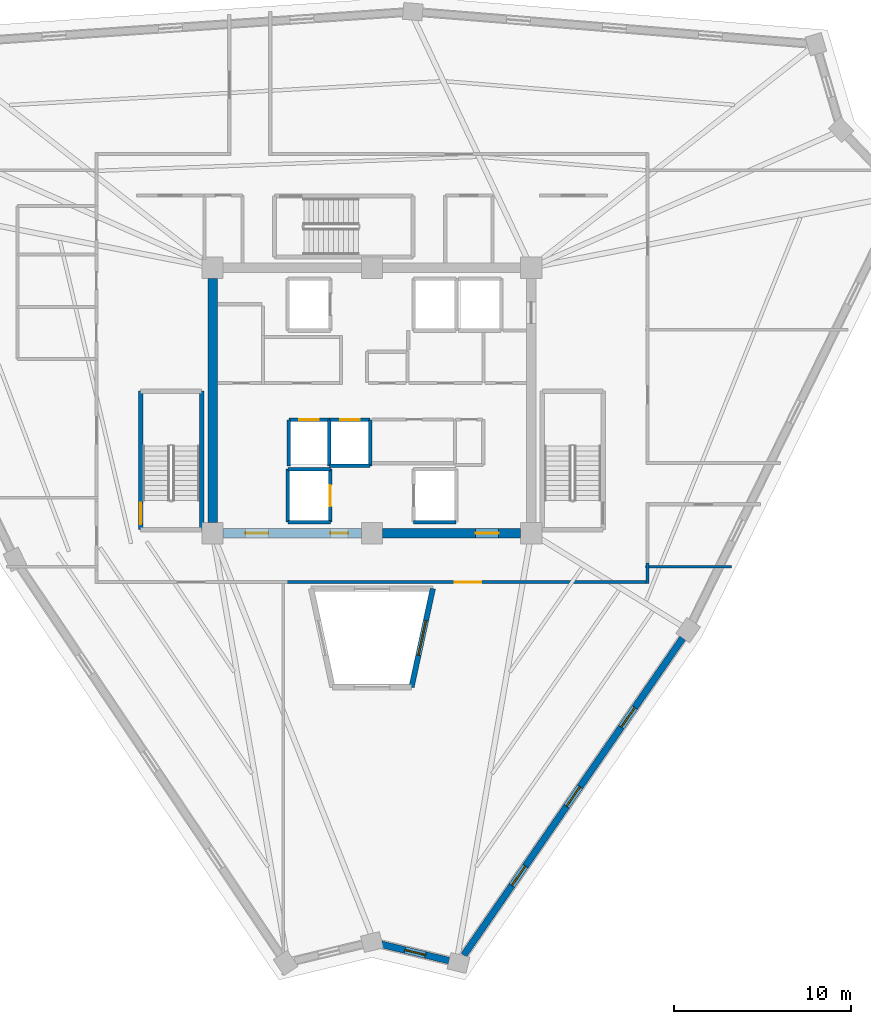
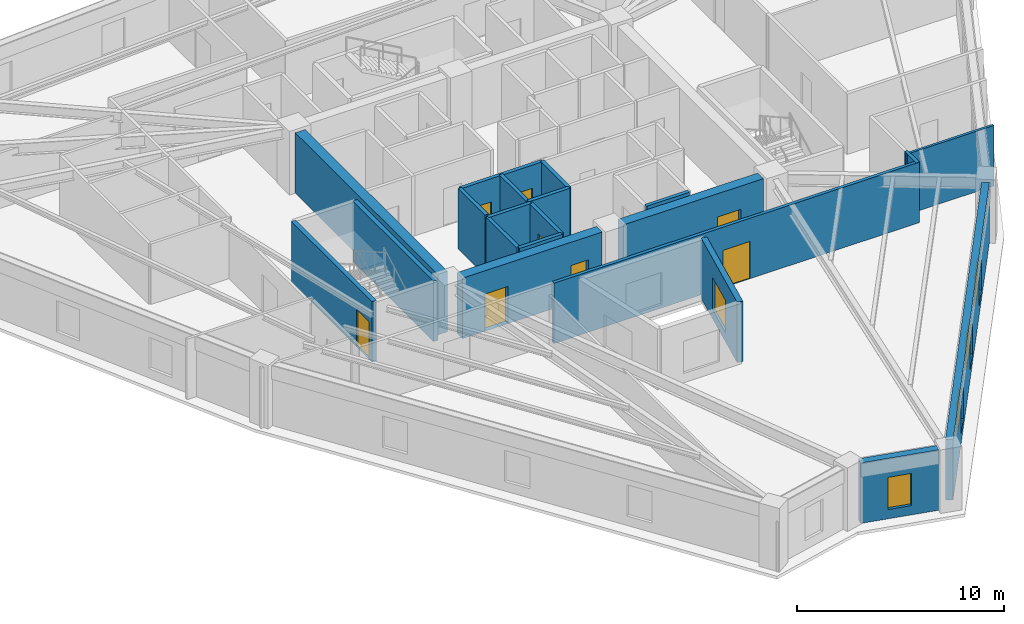
# One storey, part 3 of 8: 22 walls, 8 doors, 5 windows, 13 openings.
"""IFC4 building model written with IfcOpenShell, lengths in metres."""

import ifcopenshell
import ifcopenshell.guid

model = None  # the IFC model being written
_history = None  # IfcOwnerHistory: only IFC2X3 demands one
_inside = {}  # id of a spatial element -> (the spatial element, [elements in it])
_under = {}  # id of a project, library or spatial element -> (it, [spatial elements below it])
_declared = {}  # id of a project -> (the project, [libraries it declares])
_typed = {}  # id of a type object -> (the type object, [elements of that type])
_made_of = {}  # id of a material, layer set ... -> (it, [elements and type objects made of it])


def new_model(schema):
    """Start an empty IFC model of exactly this schema.

    Asked for "IFC4X3", IfcOpenShell would pick the latest addendum, in which some entities
    have other attributes; the version numbers below select the first issue.
    IFC2X3 requires an IfcOwnerHistory on every rooted entity: one is made here for all.
    """
    global model, _history
    if schema == "IFC4X3":
        model = ifcopenshell.file(schema_version=(4, 3, 0, 0))
    else:
        model = ifcopenshell.file(schema=schema)
    _inside.clear()
    _under.clear()
    _declared.clear()
    _typed.clear()
    _made_of.clear()
    _history = None
    if model.schema == "IFC2X3":
        org = make("IfcOrganization", Name="unknown")
        user = make(
            "IfcPersonAndOrganization",
            ThePerson=make("IfcPerson", FamilyName="unknown"),
            TheOrganization=org,
        )
        app = make(
            "IfcApplication",
            ApplicationDeveloper=org,
            Version="unknown",
            ApplicationFullName="unknown",
            ApplicationIdentifier="unknown",
        )
        _history = make(
            "IfcOwnerHistory",
            OwningUser=user,
            OwningApplication=app,
            ChangeAction="ADDED",
            CreationDate=0,
        )
    return model


def make(cls, **values):
    """One entity of the class cls with the attributes given. An attribute that is None is left unset."""
    return model.create_entity(
        cls, **{name: value for name, value in values.items() if value is not None}
    )


def rooted(cls, **values):
    """An entity with a GlobalId (a new one), such as an element, a storey or a relation."""
    return make(cls, GlobalId=ifcopenshell.guid.new(), OwnerHistory=_history, **values)


def si_unit(unit_type, name, prefix=None):
    """IfcSIUnit, for example si_unit("LENGTHUNIT", "METRE", prefix="MILLI")."""
    return make("IfcSIUnit", UnitType=unit_type, Prefix=prefix, Name=name)


def assignment(units):
    """IfcUnitAssignment: the units of a project."""
    return None if units is None else make("IfcUnitAssignment", Units=units)


def point(xyz):
    """IfcCartesianPoint."""
    return None if xyz is None else make("IfcCartesianPoint", Coordinates=xyz)


def direction(xyz):
    """IfcDirection."""
    return None if xyz is None else make("IfcDirection", DirectionRatios=xyz)


def frame(location, z_axis=None, x_axis=None):
    """IfcAxis2Placement3D, a coordinate frame: its origin and axes. An axis left out is left unset."""
    return make(
        "IfcAxis2Placement3D",
        Location=point(location),
        Axis=direction(z_axis),
        RefDirection=direction(x_axis),
    )


def frame_2d(location, x_axis=None):
    """IfcAxis2Placement2D, a coordinate frame in the plane: its origin and x axis."""
    return make(
        "IfcAxis2Placement2D", Location=point(location), RefDirection=direction(x_axis)
    )


def origin():
    """The frame at (0, 0, 0) with its axes left unset."""
    return frame((0.0, 0.0, 0.0))


def place(relative_to, where):
    """IfcLocalPlacement: puts the frame where relative to a parent placement (None: the world)."""
    return make(
        "IfcLocalPlacement", PlacementRelTo=relative_to, RelativePlacement=where
    )


def context(
    kind, dimensions, precision=None, world=None, true_north=None, identifier=None
):
    """IfcGeometricRepresentationContext, for example the 3D "Model" context."""
    return make(
        "IfcGeometricRepresentationContext",
        ContextIdentifier=identifier,
        ContextType=kind,
        CoordinateSpaceDimension=dimensions,
        Precision=precision,
        WorldCoordinateSystem=world,
        TrueNorth=true_north,
    )


def subcontext(parent, identifier, kind, view, scale=None):
    """IfcGeometricRepresentationSubContext, for example "Body" below "Model"."""
    return make(
        "IfcGeometricRepresentationSubContext",
        ContextIdentifier=identifier,
        ContextType=kind,
        ParentContext=parent,
        TargetScale=scale,
        TargetView=view,
    )


def project(units=None, contexts=None):
    """IfcProject with its units and contexts."""
    return rooted(
        "IfcProject",
        Name="project",
        RepresentationContexts=contexts,
        UnitsInContext=assignment(units),
    )


def spatial(cls, under=None, at=None, **own):
    """A site, building, storey or space (cls), placed at a placement, below another one or the project."""
    s = rooted(cls, ObjectPlacement=at, **own)
    if under is not None:
        _under.setdefault(under.id(), (under, []))[1].append(s)
    return s


def profile(cls, at=None, kind="AREA", **sizes):
    """A parametric profile (cls). Its sizes go by their IFC names, for example OverallWidth=200.0."""
    return make(cls, ProfileType=kind, Position=at, **sizes)


def rectangle(**sizes):
    """IfcRectangleProfileDef."""
    return profile("IfcRectangleProfileDef", **sizes)


def extrude(swept, where, along, depth):
    """IfcExtrudedAreaSolid: the profile swept, set in the frame where, extruded along a direction by depth."""
    return make(
        "IfcExtrudedAreaSolid",
        SweptArea=swept,
        Position=where,
        ExtrudedDirection=direction(along),
        Depth=depth,
    )


def shape(context_of_items, identifier, shape_type, items):
    """IfcShapeRepresentation: the items that make up one representation, for example the "Body"."""
    return make(
        "IfcShapeRepresentation",
        ContextOfItems=context_of_items,
        RepresentationIdentifier=identifier,
        RepresentationType=shape_type,
        Items=items,
    )


def source(mapping_origin, context_of_items, identifier, shape_type, items):
    """IfcRepresentationMap: a shape defined once, which mapped items show again and again."""
    return make(
        "IfcRepresentationMap",
        MappingOrigin=mapping_origin,
        MappedRepresentation=shape(context_of_items, identifier, shape_type, items),
    )


def transform(
    local_origin,
    x_axis=None,
    y_axis=None,
    z_axis=None,
    scale=None,
    scale2=None,
    scale3=None,
    uniform=True,
):
    """IfcCartesianTransformationOperator3D, or its non-uniform kind. x_axis, y_axis, z_axis: its Axis1, 2, 3."""
    if uniform:
        return make(
            "IfcCartesianTransformationOperator3D",
            Axis1=direction(x_axis),
            Axis2=direction(y_axis),
            LocalOrigin=point(local_origin),
            Scale=scale,
            Axis3=direction(z_axis),
        )
    return make(
        "IfcCartesianTransformationOperator3DnonUniform",
        Axis1=direction(x_axis),
        Axis2=direction(y_axis),
        LocalOrigin=point(local_origin),
        Scale=scale,
        Axis3=direction(z_axis),
        Scale2=scale2,
        Scale3=scale3,
    )


def mapped(mapping_source, mapping_target):
    """IfcMappedItem: shows the shape of a source again, moved by a transform."""
    return make(
        "IfcMappedItem", MappingSource=mapping_source, MappingTarget=mapping_target
    )


def material(Name=None, Category=None):
    """IfcMaterial."""
    return make("IfcMaterial", Name=Name, Category=Category)


def layer(
    of_material, thickness, ventilated=None, Name=None, Category=None, Priority=None
):
    """IfcMaterialLayer: one layer of a wall or slab, of a material (None: an air gap)."""
    return make(
        "IfcMaterialLayer",
        Material=of_material,
        LayerThickness=thickness,
        IsVentilated=ventilated,
        Name=Name,
        Category=Category,
        Priority=Priority,
    )


def layer_set(layers, Name=None):
    """IfcMaterialLayerSet."""
    return make("IfcMaterialLayerSet", MaterialLayers=layers, LayerSetName=Name)


def made_of(thing, what):
    """Note that an element or type object is made of a material, layer set ...; save() writes the relation."""
    if what is not None:
        _made_of.setdefault(what.id(), (what, []))[1].append(thing)
    return thing


def type_object(cls, material=None, **own):
    """A type object (cls), such as IfcWallType, which elements share."""
    return made_of(rooted(cls, **own), material)


def element(
    cls,
    number,
    at=None,
    inside=None,
    cuts=None,
    type_object=None,
    material=None,
    context=None,
    identifier="Body",
    shape_type=None,
    held_by="IfcProductDefinitionShape",
    body=None,
    shapes=None,
    **own,
):
    """One element of the class cls, such as IfcWall. Its Tag is "e" and its number.

    at: its placement. inside: the storey or other place that contains it. cuts: it is an
    opening in that element (IfcRelVoidsElement). A single representation is given by context,
    identifier, shape_type and body (its items); several are given by shapes. held_by: the class
    of the entity that holds the representations. save() writes the other relations.
    """
    e = rooted(cls, Tag="e%d" % number, ObjectPlacement=at, **own)
    if body is not None:
        shapes = [shape(context, identifier, shape_type, body)]
    if shapes is not None:
        e.Representation = make(held_by, Representations=shapes)
    if inside is not None:
        _inside.setdefault(inside.id(), (inside, []))[1].append(e)
    if cuts is not None:
        rooted(
            "IfcRelVoidsElement", RelatingBuildingElement=cuts, RelatedOpeningElement=e
        )
    if type_object is not None:
        _typed.setdefault(type_object.id(), (type_object, []))[1].append(e)
    return made_of(e, material)


def fill(opening, filler):
    """IfcRelFillsElement: the door or window that sits in an opening."""
    return rooted(
        "IfcRelFillsElement",
        RelatingOpeningElement=opening,
        RelatedBuildingElement=filler,
    )


def aggregate(whole, parts):
    """IfcRelAggregates: a whole, such as a stair, and the parts it consists of."""
    return rooted("IfcRelAggregates", RelatingObject=whole, RelatedObjects=parts)


def save(model, path):
    """Write the relations noted so far, then the file.

    IfcRelAggregates (storeys below a building ...), IfcRelContainedInSpatialStructure (elements
    in a storey), IfcRelDefinesByType, IfcRelAssociatesMaterial and IfcRelDeclares: one each for
    every whole, place, type object, material and project.
    """
    for whole, parts in _under.values():
        aggregate(whole, parts)
    for where, things in _inside.values():
        rooted(
            "IfcRelContainedInSpatialStructure",
            RelatedElements=things,
            RelatingStructure=where,
        )
    for kind, things in _typed.values():
        rooted("IfcRelDefinesByType", RelatedObjects=things, RelatingType=kind)
    for what, things in _made_of.values():
        rooted("IfcRelAssociatesMaterial", RelatedObjects=things, RelatingMaterial=what)
    for by, libraries in _declared.values():
        rooted("IfcRelDeclares", RelatingContext=by, RelatedDefinitions=libraries)
    model.write(path)


model = new_model("IFC4")

# Units and contexts
model_context = context("Model", 3, precision=1e-05, world=origin(), true_north=direction((0.0, 1.0)))
body_context = subcontext(model_context, "Body", "Model", "MODEL_VIEW")
ifc_project = project(units=[si_unit("LENGTHUNIT", "METRE"), si_unit("AREAUNIT", "SQUARE_METRE"), si_unit("VOLUMEUNIT", "CUBIC_METRE"), si_unit("PLANEANGLEUNIT", "RADIAN"), si_unit("MASSUNIT", "GRAM", prefix="KILO")], contexts=[model_context])

# Site, building, storey
site_placement = place(None, origin())
site = spatial("IfcSite", under=ifc_project, at=site_placement, CompositionType="ELEMENT")
building_placement = place(site_placement, origin())
building = spatial("IfcBuilding", under=site, at=building_placement, Name="Liaohun Quay Tower", CompositionType="ELEMENT")
storey_placement = place(building_placement, frame((0.0, 0.0, 316.5)))
storey = spatial("IfcBuildingStorey", under=building, at=storey_placement, Name="L82", CompositionType="ELEMENT", Elevation=316.5)

# Wall, opening, window
ifc_material_1 = material(Name="Concrete C50", Category="concrete")
ifc_layer_1 = layer(ifc_material_1, 0.300048828125, Name="Concrete C50", Category="concrete")
ifc_layer_set_1 = layer_set([ifc_layer_1], Name="Concrete C50")
wall_type_1 = type_object("IfcWallType", Name="WAL-ATR-300", PredefinedType="SOLIDWALL", material=ifc_layer_set_1)
wall_1_placement = place(storey_placement, frame((63.44091796875, 43.3701171875, 0.0), z_axis=(0.0, 0.0, 1.0), x_axis=(-0.21145116659, -0.977388563545, 0.0)))
wall_1 = element("IfcWall", 1, at=wall_1_placement, inside=storey, type_object=wall_type_1, Name="L82 Atrium Fire Compartment Wall 3", PredefinedType="SOLIDWALL", context=body_context, shape_type="SweptSolid", body=[
    extrude(rectangle(XDim=5.697998046875, YDim=0.300048828125, at=frame_2d((2.84912109375, 0.0))), origin(), (0.0, 0.0, 1.0), 3.570068359375),
])
shared_shape_1 = source(origin(), body_context, "Body", "SweptSolid", [
    extrude(rectangle(XDim=2.0, YDim=1.89990234375, at=frame_2d((1.0, 0.949951171875))), frame((0.0, 0.159912109375, 0.0), z_axis=(0.0, -1.0, 0.0), x_axis=(1.0, 0.0, 0.0)), (0.0, 0.0, 1.0), 0.320068359375),
])
opening_1_placement = place(wall_1_placement, frame((1.84912109375, 0.0, 0.550048828125)))
opening_1 = element("IfcOpeningElement", 2, at=opening_1_placement, cuts=wall_1, Name="Opening W07", PredefinedType="OPENING", context=body_context, shape_type="MappedRepresentation", body=[
    mapped(shared_shape_1, transform((0.0, 0.0, 0.0), x_axis=(1.0, 0.0, 0.0), y_axis=(0.0, 1.0, 0.0), z_axis=(0.0, 0.0, 1.0), scale=1.0)),
])
ifc_material_2 = material(Name="Class A 180-min fire-resistant insulated glazing", Category="glass")
window_type_1 = type_object("IfcWindowType", Name="WIN-ATR-FIR", PartitioningType="DOUBLE_PANEL_VERTICAL", PredefinedType="WINDOW", material=ifc_material_2)
shared_shape_2 = source(origin(), body_context, "Body", "SweptSolid", [
    extrude(rectangle(XDim=2.0, YDim=1.89990234375, at=frame_2d((1.0, 0.949951171875))), frame((0.0, 0.030029296875, 0.0), z_axis=(0.0, -1.0, 0.0), x_axis=(1.0, 0.0, 0.0)), (0.0, 0.0, 1.0), 0.06005859375),
])
window_1_placement = place(opening_1_placement, origin())
window_1 = element("IfcWindow", 3, at=window_1_placement, inside=storey, type_object=window_type_1, Name="L82 Atrium Fire-Resistant Glazing W07-3", OverallHeight=1.89990234375, OverallWidth=2.0, PartitioningType="DOUBLE_PANEL_VERTICAL", PredefinedType="WINDOW", context=body_context, shape_type="MappedRepresentation", body=[
    mapped(shared_shape_2, transform((0.0, 0.0, 0.0), x_axis=(1.0, 0.0, 0.0), y_axis=(0.0, 1.0, 0.0), z_axis=(0.0, 0.0, 1.0), scale=1.0)),
])
fill(opening_1, window_1)

# Wall, opening, door
ifc_layer_2 = layer(ifc_material_1, 0.550048828125, Name="Concrete C50", Category="concrete")
ifc_layer_set_2 = layer_set([ifc_layer_2], Name="Concrete C50")
wall_type_2 = type_object("IfcWallType", Name="WAL-COR-Z4", PredefinedType="SHEAR", material=ifc_layer_set_2)
wall_2_placement = place(storey_placement, frame((68.39990234375, 46.5, 0.0), z_axis=(0.0, 0.0, 1.0), x_axis=(-1.0, 0.0, 0.0)))
wall_2 = element("IfcWall", 4, at=wall_2_placement, inside=storey, type_object=wall_type_2, Name="L82 Central Core Shear Wall S-E", PredefinedType="SHEAR", context=body_context, shape_type="SweptSolid", body=[
    extrude(rectangle(XDim=7.7998046875, YDim=0.550048828125, at=frame_2d((3.89990234375, 0.0))), origin(), (0.0, 0.0, 1.0), 3.570068359375),
])
shared_shape_3 = source(origin(), body_context, "Body", "SweptSolid", [
    extrude(rectangle(XDim=1.300048828125, YDim=2.199951171875, at=frame_2d((0.64990234375, 1.10009765625))), frame((0.0, 0.284912109375, 0.0), z_axis=(0.0, -1.0, 0.0), x_axis=(1.0, 0.0, 0.0)), (0.0, 0.0, 1.0), 0.570068359375),
])
opening_2_placement = place(wall_2_placement, frame((1.25, 0.0, 0.0)))
opening_2 = element("IfcOpeningElement", 5, at=opening_2_placement, cuts=wall_2, Name="Opening FD1", PredefinedType="OPENING", context=body_context, shape_type="MappedRepresentation", body=[
    mapped(shared_shape_3, transform((0.0, 0.0, 0.0), x_axis=(1.0, 0.0, 0.0), y_axis=(0.0, 1.0, 0.0), z_axis=(0.0, 0.0, 1.0), scale=1.0)),
])
ifc_material_3 = material(Name="Galvanised steel smokeproof fire door", Category="steel")
door_type_1 = type_object("IfcDoorType", Name="DOR-FFL-1300", OperationType="NOTDEFINED", PredefinedType="DOOR", material=ifc_material_3)
shared_shape_4 = source(origin(), body_context, "Body", "SweptSolid", [
    extrude(rectangle(XDim=1.300048828125, YDim=2.199951171875, at=frame_2d((0.64990234375, 1.10009765625))), frame((0.0, 0.02490234375, 0.0), z_axis=(0.0, -1.0, 0.0), x_axis=(1.0, 0.0, 0.0)), (0.0, 0.0, 1.0), 0.050048828125),
])
door_1_placement = place(opening_2_placement, origin())
door_1 = element("IfcDoor", 6, at=door_1_placement, inside=storey, type_object=door_type_1, Name="L82 East Core Lift Lobby Smokeproof Door", OperationType="SINGLE_SWING_LEFT", OverallHeight=2.199951171875, OverallWidth=1.300048828125, PredefinedType="DOOR", context=body_context, shape_type="MappedRepresentation", body=[
    mapped(shared_shape_4, transform((0.0, 0.0, 0.0), x_axis=(1.0, 0.0, 0.0), y_axis=(0.0, 1.0, 0.0), z_axis=(0.0, 0.0, 1.0), scale=1.0)),
])
fill(opening_2, door_1)

# Wall, openings, doors
wall_3_placement = place(storey_placement, frame((59.39990234375, 46.5, 0.0), z_axis=(0.0, 0.0, 1.0), x_axis=(-1.0, 0.0, 0.0)))
wall_3 = element("IfcWall", 7, at=wall_3_placement, inside=storey, type_object=wall_type_2, Name="L82 Central Core Shear Wall S-W", PredefinedType="SHEAR", context=body_context, shape_type="SweptSolid", body=[
    extrude(rectangle(XDim=7.7998046875, YDim=0.550048828125, at=frame_2d((3.89990234375, 0.0))), origin(), (0.0, 0.0, 1.0), 3.570068359375),
])
opening_3_placement = place(wall_3_placement, frame((5.25, 0.0, 0.0)))
opening_3 = element("IfcOpeningElement", 8, at=opening_3_placement, cuts=wall_3, Name="Opening FD1", PredefinedType="OPENING", context=body_context, shape_type="MappedRepresentation", body=[
    mapped(shared_shape_3, transform((0.0, 0.0, 0.0), x_axis=(1.0, 0.0, 0.0), y_axis=(0.0, 1.0, 0.0), z_axis=(0.0, 0.0, 1.0), scale=1.0)),
])
shared_shape_5 = source(origin(), body_context, "Body", "SweptSolid", [
    extrude(rectangle(XDim=1.0, YDim=2.199951171875, at=frame_2d((0.5, 1.10009765625))), frame((0.0, 0.284912109375, 0.0), z_axis=(0.0, -1.0, 0.0), x_axis=(1.0, 0.0, 0.0)), (0.0, 0.0, 1.0), 0.570068359375),
])
opening_4_placement = place(wall_3_placement, frame((0.75, 0.0, 0.0)))
opening_4 = element("IfcOpeningElement", 9, at=opening_4_placement, cuts=wall_3, Name="Opening FD2", PredefinedType="OPENING", context=body_context, shape_type="MappedRepresentation", body=[
    mapped(shared_shape_5, transform((0.0, 0.0, 0.0), x_axis=(1.0, 0.0, 0.0), y_axis=(0.0, 1.0, 0.0), z_axis=(0.0, 0.0, 1.0), scale=1.0)),
])
door_2_placement = place(opening_3_placement, origin())
door_2 = element("IfcDoor", 10, at=door_2_placement, inside=storey, type_object=door_type_1, Name="L82 West Core Lift Lobby Smokeproof Door", OperationType="SINGLE_SWING_RIGHT", OverallHeight=2.199951171875, OverallWidth=1.300048828125, PredefinedType="DOOR", context=body_context, shape_type="MappedRepresentation", body=[
    mapped(shared_shape_4, transform((0.0, 0.0, 0.0), x_axis=(1.0, 0.0, 0.0), y_axis=(0.0, 1.0, 0.0), z_axis=(0.0, 0.0, 1.0), scale=1.0)),
])
fill(opening_3, door_2)
ifc_material_4 = material(Name="Galvanised steel smokeproof lobby fire door", Category="steel")
door_type_2 = type_object("IfcDoorType", Name="DOR-FFL-1000", OperationType="NOTDEFINED", PredefinedType="DOOR", material=ifc_material_4)
shared_shape_6 = source(origin(), body_context, "Body", "SweptSolid", [
    extrude(rectangle(XDim=1.0, YDim=2.199951171875, at=frame_2d((0.5, 1.10009765625))), frame((0.0, 0.02490234375, 0.0), z_axis=(0.0, -1.0, 0.0), x_axis=(1.0, 0.0, 0.0)), (0.0, 0.0, 1.0), 0.050048828125),
])
door_3_placement = place(opening_4_placement, origin())
door_3 = element("IfcDoor", 11, at=door_3_placement, inside=storey, type_object=door_type_2, Name="L82 South Firefighting Lobby Smokeproof Door", OperationType="SINGLE_SWING_LEFT", OverallHeight=2.199951171875, OverallWidth=1.0, PredefinedType="DOOR", context=body_context, shape_type="MappedRepresentation", body=[
    mapped(shared_shape_6, transform((0.0, 0.0, 0.0), x_axis=(1.0, 0.0, 0.0), y_axis=(0.0, 1.0, 0.0), z_axis=(0.0, 0.0, 1.0), scale=1.0)),
])
fill(opening_4, door_3)

# Wall
wall_4_placement = place(storey_placement, frame((51.0, 47.10009765625, 0.0), z_axis=(0.0, 0.0, 1.0), x_axis=(0.0, 1.0, 0.0)))
element("IfcWall", 12, at=wall_4_placement, inside=storey, type_object=wall_type_2, Name="L82 Central Core Shear Wall W", PredefinedType="SHEAR", context=body_context, shape_type="SweptSolid", body=[
    extrude(rectangle(XDim=13.7998046875, YDim=0.550048828125, at=frame_2d((6.89990234375, 0.0))), origin(), (0.0, 0.0, 1.0), 3.570068359375),
])

# Wall, opening, window
ifc_material_5 = material(Name="Precast concrete C50 insulated sandwich", Category="concrete")
ifc_layer_3 = layer(ifc_material_5, 0.3798828125, Name="Precast concrete C50 insulated sandwich", Category="concrete")
ifc_layer_set_3 = layer_set([ifc_layer_3], Name="Precast concrete C50 insulated sandwich")
wall_type_3 = type_object("IfcWallType", Name="WAL-EXT-Z34", PredefinedType="SOLIDWALL", material=ifc_layer_set_3)
wall_5_placement = place(storey_placement, frame((60.52490234375, 23.281005859375, 0.0), z_axis=(0.0, 0.0, 1.0), x_axis=(0.972065658594, -0.234709086705, 0.0)))
wall_5 = element("IfcWall", 13, at=wall_5_placement, inside=storey, type_object=wall_type_3, Name="L82 Brutalist Precast Pier Wall 01", PredefinedType="SOLIDWALL", context=body_context, shape_type="SweptSolid", body=[
    extrude(rectangle(XDim=3.9453125, YDim=0.3798828125, at=frame_2d((1.97265625, 0.0))), origin(), (0.0, 0.0, 1.0), 3.570068359375),
])
shared_shape_7 = source(origin(), body_context, "Body", "SweptSolid", [
    extrude(rectangle(XDim=1.199951171875, YDim=1.89990234375, at=frame_2d((0.60009765625, 0.949951171875))), frame((0.0, 0.199951171875, 0.0), z_axis=(0.0, -1.0, 0.0), x_axis=(1.0, 0.0, 0.0)), (0.0, 0.0, 1.0), 0.39990234375),
])
opening_5_placement = place(wall_5_placement, frame((1.373046875, 0.0, 0.550048828125)))
opening_5 = element("IfcOpeningElement", 14, at=opening_5_placement, cuts=wall_5, Name="Opening W05", PredefinedType="OPENING", context=body_context, shape_type="MappedRepresentation", body=[
    mapped(shared_shape_7, transform((0.0, 0.0, 0.0), x_axis=(1.0, 0.0, 0.0), y_axis=(0.0, 1.0, 0.0), z_axis=(0.0, 0.0, 1.0), scale=1.0)),
])
ifc_material_6 = material(Name="Triple Low-E corner notch glazing", Category="glass")
window_type_2 = type_object("IfcWindowType", Name="WIN-NOTCH", PartitioningType="SINGLE_PANEL", PredefinedType="WINDOW", material=ifc_material_6)
shared_shape_8 = source(origin(), body_context, "Body", "SweptSolid", [
    extrude(rectangle(XDim=1.199951171875, YDim=1.89990234375, at=frame_2d((0.60009765625, 0.949951171875))), frame((0.0, 0.030029296875, 0.0), z_axis=(0.0, -1.0, 0.0), x_axis=(1.0, 0.0, 0.0)), (0.0, 0.0, 1.0), 0.06005859375),
])
window_2_placement = place(opening_5_placement, origin())
window_2 = element("IfcWindow", 15, at=window_2_placement, inside=storey, type_object=window_type_2, Name="L82 Corner Notch Window W05-01", OverallHeight=1.89990234375, OverallWidth=1.199951171875, PartitioningType="SINGLE_PANEL", PredefinedType="WINDOW", context=body_context, shape_type="MappedRepresentation", body=[
    mapped(shared_shape_8, transform((0.0, 0.0, 0.0), x_axis=(1.0, 0.0, 0.0), y_axis=(0.0, 1.0, 0.0), z_axis=(0.0, 0.0, 1.0), scale=1.0)),
])
fill(opening_5, window_2)

# Wall, openings, windows
wall_6_placement = place(storey_placement, frame((65.19189453125, 22.672119140625, 0.0), z_axis=(0.0, 0.0, 1.0), x_axis=(0.568115456304, 0.822948861296, 0.0)))
wall_6 = element("IfcWall", 16, at=wall_6_placement, inside=storey, type_object=wall_type_3, Name="L82 Brutalist Precast Pier Wall 02", PredefinedType="SOLIDWALL", context=body_context, shape_type="SweptSolid", body=[
    extrude(rectangle(XDim=21.758056640625, YDim=0.3798828125, at=frame_2d((10.87890625, 0.0))), origin(), (0.0, 0.0, 1.0), 3.570068359375),
])
shared_shape_9 = source(origin(), body_context, "Body", "SweptSolid", [
    extrude(rectangle(XDim=1.35009765625, YDim=1.85009765625, at=frame_2d((0.675048828125, 0.925048828125))), frame((0.0, 0.199951171875, 0.0), z_axis=(0.0, -1.0, 0.0), x_axis=(1.0, 0.0, 0.0)), (0.0, 0.0, 1.0), 0.39990234375),
])
opening_6_placement = place(wall_6_placement, frame((4.764892578125, 0.0, 0.550048828125)))
opening_6 = element("IfcOpeningElement", 17, at=opening_6_placement, cuts=wall_6, Name="Opening W04", PredefinedType="OPENING", context=body_context, shape_type="MappedRepresentation", body=[
    mapped(shared_shape_9, transform((0.0, 0.0, 0.0), x_axis=(1.0, 0.0, 0.0), y_axis=(0.0, 1.0, 0.0), z_axis=(0.0, 0.0, 1.0), scale=1.0)),
])
opening_7_placement = place(wall_6_placement, frame((10.2041015625, 0.0, 0.550048828125)))
opening_7 = element("IfcOpeningElement", 18, at=opening_7_placement, cuts=wall_6, Name="Opening W04", PredefinedType="OPENING", context=body_context, shape_type="MappedRepresentation", body=[
    mapped(shared_shape_9, transform((0.0, 0.0, 0.0), x_axis=(1.0, 0.0, 0.0), y_axis=(0.0, 1.0, 0.0), z_axis=(0.0, 0.0, 1.0), scale=1.0)),
])
opening_8_placement = place(wall_6_placement, frame((15.64404296875, 0.0, 0.550048828125)))
opening_8 = element("IfcOpeningElement", 19, at=opening_8_placement, cuts=wall_6, Name="Opening W04", PredefinedType="OPENING", context=body_context, shape_type="MappedRepresentation", body=[
    mapped(shared_shape_9, transform((0.0, 0.0, 0.0), x_axis=(1.0, 0.0, 0.0), y_axis=(0.0, 1.0, 0.0), z_axis=(0.0, 0.0, 1.0), scale=1.0)),
])
ifc_material_7 = material(Name="Triple Low-E argon glazing in thermally broken aluminium", Category="aluminium")
window_type_3 = type_object("IfcWindowType", Name="WIN-PUN-Z4", PartitioningType="SINGLE_PANEL", PredefinedType="WINDOW", material=ifc_material_7)
shared_shape_10 = source(origin(), body_context, "Body", "SweptSolid", [
    extrude(rectangle(XDim=1.35009765625, YDim=1.85009765625, at=frame_2d((0.675048828125, 0.925048828125))), frame((0.0, 0.030029296875, 0.0), z_axis=(0.0, -1.0, 0.0), x_axis=(1.0, 0.0, 0.0)), (0.0, 0.0, 1.0), 0.06005859375),
])
window_3_placement = place(opening_6_placement, origin())
window_3 = element("IfcWindow", 20, at=window_3_placement, inside=storey, type_object=window_type_3, Name="L82 Recessed Cold-Climate Punched Window 02-1", OverallHeight=1.85009765625, OverallWidth=1.35009765625, PartitioningType="SINGLE_PANEL", PredefinedType="WINDOW", context=body_context, shape_type="MappedRepresentation", body=[
    mapped(shared_shape_10, transform((0.0, 0.0, 0.0), x_axis=(1.0, 0.0, 0.0), y_axis=(0.0, 1.0, 0.0), z_axis=(0.0, 0.0, 1.0), scale=1.0)),
])
fill(opening_6, window_3)
window_4_placement = place(opening_7_placement, origin())
window_4 = element("IfcWindow", 21, at=window_4_placement, inside=storey, type_object=window_type_3, Name="L82 Recessed Cold-Climate Punched Window 02-2", OverallHeight=1.85009765625, OverallWidth=1.35009765625, PartitioningType="SINGLE_PANEL", PredefinedType="WINDOW", context=body_context, shape_type="MappedRepresentation", body=[
    mapped(shared_shape_10, transform((0.0, 0.0, 0.0), x_axis=(1.0, 0.0, 0.0), y_axis=(0.0, 1.0, 0.0), z_axis=(0.0, 0.0, 1.0), scale=1.0)),
])
fill(opening_7, window_4)
window_5_placement = place(opening_8_placement, origin())
window_5 = element("IfcWindow", 22, at=window_5_placement, inside=storey, type_object=window_type_3, Name="L82 Recessed Cold-Climate Punched Window 02-3", OverallHeight=1.85009765625, OverallWidth=1.35009765625, PartitioningType="SINGLE_PANEL", PredefinedType="WINDOW", context=body_context, shape_type="MappedRepresentation", body=[
    mapped(shared_shape_10, transform((0.0, 0.0, 0.0), x_axis=(1.0, 0.0, 0.0), y_axis=(0.0, 1.0, 0.0), z_axis=(0.0, 0.0, 1.0), scale=1.0)),
])
fill(opening_8, window_5)

# Wall, opening, door
ifc_material_8 = material(Name="Autoclaved aerated concrete blockwork", Category="masonry")
ifc_layer_4 = layer(ifc_material_8, 0.179931640625, Name="Autoclaved aerated concrete blockwork", Category="masonry")
ifc_layer_set_4 = layer_set([ifc_layer_4], Name="Autoclaved aerated concrete blockwork")
wall_type_4 = type_object("IfcWallType", Name="WAL-PRT-COR", PredefinedType="PARTITIONING", material=ifc_layer_set_4)
wall_7_placement = place(storey_placement, frame((75.6298828125, 43.739990234375, 0.0), z_axis=(0.0, 0.0, 1.0), x_axis=(-1.0, 0.0, 0.0)))
wall_7 = element("IfcWall", 23, at=wall_7_placement, inside=storey, type_object=wall_type_4, Name="L82 Interior Partition Wall 022", PredefinedType="PARTITIONING", context=body_context, shape_type="SweptSolid", body=[
    extrude(rectangle(XDim=20.414794921875, YDim=0.179931640625, at=frame_2d((10.20751953125, 0.0))), origin(), (0.0, 0.0, 1.0), 3.570068359375),
])
shared_shape_11 = source(origin(), body_context, "Body", "SweptSolid", [
    extrude(rectangle(XDim=1.5, YDim=2.199951171875, at=frame_2d((0.75, 1.10009765625))), frame((0.0, 0.099853515625, 0.0), z_axis=(0.0, -1.0, 0.0), x_axis=(1.0, 0.0, 0.0)), (0.0, 0.0, 1.0), 0.199951171875),
])
opening_9_placement = place(wall_7_placement, frame((9.45703125, 0.0, 0.0)))
opening_9 = element("IfcOpeningElement", 24, at=opening_9_placement, cuts=wall_7, Name="Opening OD2", PredefinedType="OPENING", context=body_context, shape_type="MappedRepresentation", body=[
    mapped(shared_shape_11, transform((0.0, 0.0, 0.0), x_axis=(1.0, 0.0, 0.0), y_axis=(0.0, 1.0, 0.0), z_axis=(0.0, 0.0, 1.0), scale=1.0)),
])
ifc_material_9 = material(Name="Acoustic oak veneer double door")
door_type_3 = type_object("IfcDoorType", Name="DOR-OFF-1500", OperationType="DOUBLE_DOOR_SINGLE_SWING", PredefinedType="DOOR", material=ifc_material_9)
shared_shape_12 = source(origin(), body_context, "Body", "SweptSolid", [
    extrude(rectangle(XDim=1.5, YDim=2.199951171875, at=frame_2d((0.75, 1.10009765625))), frame((0.0, 0.02490234375, 0.0), z_axis=(0.0, -1.0, 0.0), x_axis=(1.0, 0.0, 0.0)), (0.0, 0.0, 1.0), 0.050048828125),
])
door_4_placement = place(opening_9_placement, origin())
door_4 = element("IfcDoor", 25, at=door_4_placement, inside=storey, type_object=door_type_3, Name="L82 Corporate Exhibition Gallery 08 Door", OperationType="DOUBLE_DOOR_SINGLE_SWING", OverallHeight=2.199951171875, OverallWidth=1.5, PredefinedType="DOOR", context=body_context, shape_type="MappedRepresentation", body=[
    mapped(shared_shape_12, transform((0.0, 0.0, 0.0), x_axis=(1.0, 0.0, 0.0), y_axis=(0.0, 1.0, 0.0), z_axis=(0.0, 0.0, 1.0), scale=1.0)),
])
fill(opening_9, door_4)

# Walls
wall_8_placement = place(storey_placement, frame((75.56005859375, 44.81494140625, 0.0), z_axis=(0.0, 0.0, 1.0), x_axis=(0.0, -1.0, 0.0)))
element("IfcWall", 26, at=wall_8_placement, inside=storey, type_object=wall_type_4, Name="L82 Interior Partition Wall 048", PredefinedType="PARTITIONING", context=body_context, shape_type="SweptSolid", body=[
    extrude(rectangle(XDim=1.14501953125, YDim=0.179931640625, at=frame_2d((0.572509765625, 0.0))), origin(), (0.0, 0.0, 1.0), 3.570068359375),
])
ifc_material_10 = material(Name="Gypsum board on twin steel studs", Category="steel")
ifc_layer_5 = layer(ifc_material_10, 0.139892578125, Name="Gypsum board on twin steel studs", Category="steel")
ifc_layer_set_5 = layer_set([ifc_layer_5], Name="Gypsum board on twin steel studs")
wall_type_5 = type_object("IfcWallType", Name="WAL-PRT-OFF", PredefinedType="PARTITIONING", material=ifc_layer_set_5)
wall_9_placement = place(storey_placement, frame((75.4599609375, 44.60009765625, 0.0), z_axis=(0.0, 0.0, 1.0), x_axis=(1.0, 0.0, 0.0)))
element("IfcWall", 27, at=wall_9_placement, inside=storey, type_object=wall_type_5, Name="L82 Interior Partition Wall 053", PredefinedType="PARTITIONING", context=body_context, shape_type="SweptSolid", body=[
    extrude(rectangle(XDim=4.85693359375, YDim=0.139892578125, at=frame_2d((2.428466796875, 0.0))), origin(), (0.0, 0.0, 1.0), 3.570068359375),
])
ifc_layer_6 = layer(ifc_material_1, 0.239990234375, Name="Concrete C50", Category="concrete")
ifc_layer_set_6 = layer_set([ifc_layer_6], Name="Concrete C50")
wall_type_6 = type_object("IfcWallType", Name="WAL-SHF-200", PredefinedType="SOLIDWALL", material=ifc_layer_set_6)
wall_10_placement = place(storey_placement, frame((50.3798828125, 46.699951171875, 0.0), z_axis=(0.0, 0.0, 1.0), x_axis=(0.0, 1.0, 0.0)))
element("IfcWall", 28, at=wall_10_placement, inside=storey, type_object=wall_type_6, Name="L82 Stairwell ST-1 Structural Core Wall E", PredefinedType="SOLIDWALL", context=body_context, shape_type="SweptSolid", body=[
    extrude(rectangle(XDim=7.820068359375, YDim=0.239990234375, at=frame_2d((3.91015625, 0.0))), origin(), (0.0, 0.0, 1.0), 3.570068359375),
])

# Wall, opening, door
wall_11_placement = place(storey_placement, frame((46.93994140625, 54.52001953125, 0.0), z_axis=(0.0, 0.0, 1.0), x_axis=(0.0, -1.0, 0.0)))
wall_11 = element("IfcWall", 29, at=wall_11_placement, inside=storey, type_object=wall_type_6, Name="L82 Stairwell ST-1 Structural Core Wall W", PredefinedType="SOLIDWALL", context=body_context, shape_type="SweptSolid", body=[
    extrude(rectangle(XDim=7.820068359375, YDim=0.239990234375, at=frame_2d((3.91015625, 0.0))), origin(), (0.0, 0.0, 1.0), 3.570068359375),
])
shared_shape_13 = source(origin(), body_context, "Body", "SweptSolid", [
    extrude(rectangle(XDim=1.199951171875, YDim=2.199951171875, at=frame_2d((0.60009765625, 1.10009765625))), frame((0.0, 0.1298828125, 0.0), z_axis=(0.0, -1.0, 0.0), x_axis=(1.0, 0.0, 0.0)), (0.0, 0.0, 1.0), 0.260009765625),
])
opening_10_placement = place(wall_11_placement, frame((6.300048828125, 0.0, 0.0)))
opening_10 = element("IfcOpeningElement", 30, at=opening_10_placement, cuts=wall_11, Name="Opening SD1", PredefinedType="OPENING", context=body_context, shape_type="MappedRepresentation", body=[
    mapped(shared_shape_13, transform((0.0, 0.0, 0.0), x_axis=(1.0, 0.0, 0.0), y_axis=(0.0, 1.0, 0.0), z_axis=(0.0, 0.0, 1.0), scale=1.0)),
])
ifc_material_11 = material(Name="Galvanised steel fire door", Category="steel")
door_type_4 = type_object("IfcDoorType", Name="DOR-STR-1200", OperationType="NOTDEFINED", PredefinedType="DOOR", material=ifc_material_11)
shared_shape_14 = source(origin(), body_context, "Body", "SweptSolid", [
    extrude(rectangle(XDim=1.199951171875, YDim=2.199951171875, at=frame_2d((0.60009765625, 1.10009765625))), frame((0.0, 0.02490234375, 0.0), z_axis=(0.0, -1.0, 0.0), x_axis=(1.0, 0.0, 0.0)), (0.0, 0.0, 1.0), 0.050048828125),
])
door_5_placement = place(opening_10_placement, origin())
door_5 = element("IfcDoor", 31, at=door_5_placement, inside=storey, type_object=door_type_4, Name="L82 Protected Stair ST-1 Fire Door", OperationType="SINGLE_SWING_LEFT", OverallHeight=2.199951171875, OverallWidth=1.199951171875, PredefinedType="DOOR", context=body_context, shape_type="MappedRepresentation", body=[
    mapped(shared_shape_14, transform((0.0, 0.0, 0.0), x_axis=(1.0, 0.0, 0.0), y_axis=(0.0, 1.0, 0.0), z_axis=(0.0, 0.0, 1.0), scale=1.0)),
])
fill(opening_10, door_5)

# Wall
wall_12_placement = place(storey_placement, frame((55.25, 47.1201171875, 0.0), z_axis=(0.0, 0.0, 1.0), x_axis=(1.0, 0.0, 0.0)))
element("IfcWall", 32, at=wall_12_placement, inside=storey, type_object=wall_type_6, Name="L82 Lift FF-01 Hoistway Wall S", PredefinedType="SOLIDWALL", context=body_context, shape_type="SweptSolid", body=[
    extrude(rectangle(XDim=2.39990234375, YDim=0.199951171875, at=frame_2d((1.199951171875, 0.0))), origin(), (0.0, 0.0, 1.0), 3.570068359375),
])

# Wall, opening, door
wall_13_placement = place(storey_placement, frame((57.64990234375, 47.1201171875, 0.0), z_axis=(0.0, 0.0, 1.0), x_axis=(0.0, 1.0, 0.0)))
wall_13 = element("IfcWall", 33, at=wall_13_placement, inside=storey, type_object=wall_type_6, Name="L82 Lift FF-01 Hoistway Wall E", PredefinedType="SOLIDWALL", context=body_context, shape_type="SweptSolid", body=[
    extrude(rectangle(XDim=3.0, YDim=0.199951171875, at=frame_2d((1.5, 0.0))), origin(), (0.0, 0.0, 1.0), 3.570068359375),
])
shared_shape_15 = source(origin(), body_context, "Body", "SweptSolid", [
    extrude(rectangle(XDim=1.199951171875, YDim=2.300048828125, at=frame_2d((0.60009765625, 1.14990234375))), frame((0.0, 0.10986328125, 0.0), z_axis=(0.0, -1.0, 0.0), x_axis=(1.0, 0.0, 0.0)), (0.0, 0.0, 1.0), 0.219970703125),
])
opening_11_placement = place(wall_13_placement, frame((0.89990234375, 0.0, 0.0)))
opening_11 = element("IfcOpeningElement", 34, at=opening_11_placement, cuts=wall_13, Name="Opening LD2", PredefinedType="OPENING", context=body_context, shape_type="MappedRepresentation", body=[
    mapped(shared_shape_15, transform((0.0, 0.0, 0.0), x_axis=(1.0, 0.0, 0.0), y_axis=(0.0, 1.0, 0.0), z_axis=(0.0, 0.0, 1.0), scale=1.0)),
])
ifc_material_12 = material(Name="Brushed stainless steel stretcher landing door", Category="steel")
door_type_5 = type_object("IfcDoorType", Name="DOR-LFT-1200", OperationType="SLIDING_TO_LEFT", PredefinedType="DOOR", material=ifc_material_12)
shared_shape_16 = source(origin(), body_context, "Body", "SweptSolid", [
    extrude(rectangle(XDim=1.199951171875, YDim=2.300048828125, at=frame_2d((0.60009765625, 1.14990234375))), frame((0.0, 0.02490234375, 0.0), z_axis=(0.0, -1.0, 0.0), x_axis=(1.0, 0.0, 0.0)), (0.0, 0.0, 1.0), 0.050048828125),
])
door_6_placement = place(opening_11_placement, origin())
door_6 = element("IfcDoor", 35, at=door_6_placement, inside=storey, type_object=door_type_5, Name="L82 Lift FF-01 Sliding Landing Door", OperationType="SLIDING_TO_LEFT", OverallHeight=2.300048828125, OverallWidth=1.199951171875, PredefinedType="DOOR", context=body_context, shape_type="MappedRepresentation", body=[
    mapped(shared_shape_16, transform((0.0, 0.0, 0.0), x_axis=(1.0, 0.0, 0.0), y_axis=(0.0, 1.0, 0.0), z_axis=(0.0, 0.0, 1.0), scale=1.0)),
])
fill(opening_11, door_6)

# Walls
wall_14_placement = place(storey_placement, frame((57.64990234375, 50.1201171875, 0.0), z_axis=(0.0, 0.0, 1.0), x_axis=(-1.0, 0.0, 0.0)))
element("IfcWall", 36, at=wall_14_placement, inside=storey, type_object=wall_type_6, Name="L82 Lift FF-01 Hoistway Wall N", PredefinedType="SOLIDWALL", context=body_context, shape_type="SweptSolid", body=[
    extrude(rectangle(XDim=2.39990234375, YDim=0.199951171875, at=frame_2d((1.199951171875, 0.0))), origin(), (0.0, 0.0, 1.0), 3.570068359375),
])
wall_15_placement = place(storey_placement, frame((55.25, 50.1201171875, 0.0), z_axis=(0.0, 0.0, 1.0), x_axis=(0.0, -1.0, 0.0)))
element("IfcWall", 37, at=wall_15_placement, inside=storey, type_object=wall_type_6, Name="L82 Lift FF-01 Hoistway Wall W", PredefinedType="SOLIDWALL", context=body_context, shape_type="SweptSolid", body=[
    extrude(rectangle(XDim=3.0, YDim=0.199951171875, at=frame_2d((1.5, 0.0))), origin(), (0.0, 0.0, 1.0), 3.570068359375),
])
wall_16_placement = place(storey_placement, frame((62.35009765625, 47.1201171875, 0.0), z_axis=(0.0, 0.0, 1.0), x_axis=(1.0, 0.0, 0.0)))
element("IfcWall", 38, at=wall_16_placement, inside=storey, type_object=wall_type_6, Name="L82 Lift FF-02 Hoistway Wall S", PredefinedType="SOLIDWALL", context=body_context, shape_type="SweptSolid", body=[
    extrude(rectangle(XDim=2.39990234375, YDim=0.199951171875, at=frame_2d((1.199951171875, 0.0))), origin(), (0.0, 0.0, 1.0), 3.570068359375),
])
wall_17_placement = place(storey_placement, frame((57.60009765625, 50.300048828125, 0.0), z_axis=(0.0, 0.0, 1.0), x_axis=(0.0, 1.0, 0.0)))
element("IfcWall", 39, at=wall_17_placement, inside=storey, type_object=wall_type_6, Name="L82 Lift PL-4A Hoistway Wall E", PredefinedType="SOLIDWALL", context=body_context, shape_type="SweptSolid", body=[
    extrude(rectangle(XDim=2.599853515625, YDim=0.199951171875, at=frame_2d((1.2998046875, 0.0))), origin(), (0.0, 0.0, 1.0), 3.570068359375),
])

# Wall, opening, door
wall_18_placement = place(storey_placement, frame((57.60009765625, 52.89990234375, 0.0), z_axis=(0.0, 0.0, 1.0), x_axis=(-1.0, 0.0, 0.0)))
wall_18 = element("IfcWall", 40, at=wall_18_placement, inside=storey, type_object=wall_type_6, Name="L82 Lift PL-4A Hoistway Wall N", PredefinedType="SOLIDWALL", context=body_context, shape_type="SweptSolid", body=[
    extrude(rectangle(XDim=2.300048828125, YDim=0.199951171875, at=frame_2d((1.14990234375, 0.0))), origin(), (0.0, 0.0, 1.0), 3.570068359375),
])
shared_shape_17 = source(origin(), body_context, "Body", "SweptSolid", [
    extrude(rectangle(XDim=1.10009765625, YDim=2.199951171875, at=frame_2d((0.550048828125, 1.10009765625))), frame((0.0, 0.10986328125, 0.0), z_axis=(0.0, -1.0, 0.0), x_axis=(1.0, 0.0, 0.0)), (0.0, 0.0, 1.0), 0.219970703125),
])
opening_12_placement = place(wall_18_placement, frame((0.60009765625, 0.0, 0.0)))
opening_12 = element("IfcOpeningElement", 41, at=opening_12_placement, cuts=wall_18, Name="Opening LD1", PredefinedType="OPENING", context=body_context, shape_type="MappedRepresentation", body=[
    mapped(shared_shape_17, transform((0.0, 0.0, 0.0), x_axis=(1.0, 0.0, 0.0), y_axis=(0.0, 1.0, 0.0), z_axis=(0.0, 0.0, 1.0), scale=1.0)),
])
ifc_material_13 = material(Name="Brushed stainless steel landing door", Category="steel")
door_type_6 = type_object("IfcDoorType", Name="DOR-LFT-1100", OperationType="SLIDING_TO_LEFT", PredefinedType="DOOR", material=ifc_material_13)
shared_shape_18 = source(origin(), body_context, "Body", "SweptSolid", [
    extrude(rectangle(XDim=1.10009765625, YDim=2.199951171875, at=frame_2d((0.550048828125, 1.10009765625))), frame((0.0, 0.02490234375, 0.0), z_axis=(0.0, -1.0, 0.0), x_axis=(1.0, 0.0, 0.0)), (0.0, 0.0, 1.0), 0.050048828125),
])
door_7_placement = place(opening_12_placement, origin())
door_7 = element("IfcDoor", 42, at=door_7_placement, inside=storey, type_object=door_type_6, Name="L82 Lift PL-4A Sliding Landing Door", OperationType="SLIDING_TO_LEFT", OverallHeight=2.199951171875, OverallWidth=1.10009765625, PredefinedType="DOOR", context=body_context, shape_type="MappedRepresentation", body=[
    mapped(shared_shape_18, transform((0.0, 0.0, 0.0), x_axis=(1.0, 0.0, 0.0), y_axis=(0.0, 1.0, 0.0), z_axis=(0.0, 0.0, 1.0), scale=1.0)),
])
fill(opening_12, door_7)

# Walls
wall_19_placement = place(storey_placement, frame((55.300048828125, 52.89990234375, 0.0), z_axis=(0.0, 0.0, 1.0), x_axis=(0.0, -1.0, 0.0)))
element("IfcWall", 43, at=wall_19_placement, inside=storey, type_object=wall_type_6, Name="L82 Lift PL-4A Hoistway Wall W", PredefinedType="SOLIDWALL", context=body_context, shape_type="SweptSolid", body=[
    extrude(rectangle(XDim=2.599853515625, YDim=0.199951171875, at=frame_2d((1.2998046875, 0.0))), origin(), (0.0, 0.0, 1.0), 3.570068359375),
])
wall_20_placement = place(storey_placement, frame((57.60009765625, 50.300048828125, 0.0), z_axis=(0.0, 0.0, 1.0), x_axis=(1.0, 0.0, 0.0)))
element("IfcWall", 44, at=wall_20_placement, inside=storey, type_object=wall_type_6, Name="L82 Lift PL-4B Hoistway Wall S", PredefinedType="SOLIDWALL", context=body_context, shape_type="SweptSolid", body=[
    extrude(rectangle(XDim=2.2998046875, YDim=0.199951171875, at=frame_2d((1.14990234375, 0.0))), origin(), (0.0, 0.0, 1.0), 3.570068359375),
])
wall_21_placement = place(storey_placement, frame((59.89990234375, 50.300048828125, 0.0), z_axis=(0.0, 0.0, 1.0), x_axis=(0.0, 1.0, 0.0)))
element("IfcWall", 45, at=wall_21_placement, inside=storey, type_object=wall_type_6, Name="L82 Lift PL-4B Hoistway Wall E", PredefinedType="SOLIDWALL", context=body_context, shape_type="SweptSolid", body=[
    extrude(rectangle(XDim=2.599853515625, YDim=0.199951171875, at=frame_2d((1.2998046875, 0.0))), origin(), (0.0, 0.0, 1.0), 3.570068359375),
])

# Wall, opening, door
wall_22_placement = place(storey_placement, frame((59.89990234375, 52.89990234375, 0.0), z_axis=(0.0, 0.0, 1.0), x_axis=(-1.0, 0.0, 0.0)))
wall_22 = element("IfcWall", 46, at=wall_22_placement, inside=storey, type_object=wall_type_6, Name="L82 Lift PL-4B Hoistway Wall N", PredefinedType="SOLIDWALL", context=body_context, shape_type="SweptSolid", body=[
    extrude(rectangle(XDim=2.2998046875, YDim=0.199951171875, at=frame_2d((1.14990234375, 0.0))), origin(), (0.0, 0.0, 1.0), 3.570068359375),
])
opening_13_placement = place(wall_22_placement, frame((0.60009765625, 0.0, 0.0)))
opening_13 = element("IfcOpeningElement", 47, at=opening_13_placement, cuts=wall_22, Name="Opening LD1", PredefinedType="OPENING", context=body_context, shape_type="MappedRepresentation", body=[
    mapped(shared_shape_17, transform((0.0, 0.0, 0.0), x_axis=(1.0, 0.0, 0.0), y_axis=(0.0, 1.0, 0.0), z_axis=(0.0, 0.0, 1.0), scale=1.0)),
])
door_8_placement = place(opening_13_placement, origin())
door_8 = element("IfcDoor", 48, at=door_8_placement, inside=storey, type_object=door_type_6, Name="L82 Lift PL-4B Sliding Landing Door", OperationType="SLIDING_TO_LEFT", OverallHeight=2.199951171875, OverallWidth=1.10009765625, PredefinedType="DOOR", context=body_context, shape_type="MappedRepresentation", body=[
    mapped(shared_shape_18, transform((0.0, 0.0, 0.0), x_axis=(1.0, 0.0, 0.0), y_axis=(0.0, 1.0, 0.0), z_axis=(0.0, 0.0, 1.0), scale=1.0)),
])
fill(opening_13, door_8)

save(model, "model.ifc")
